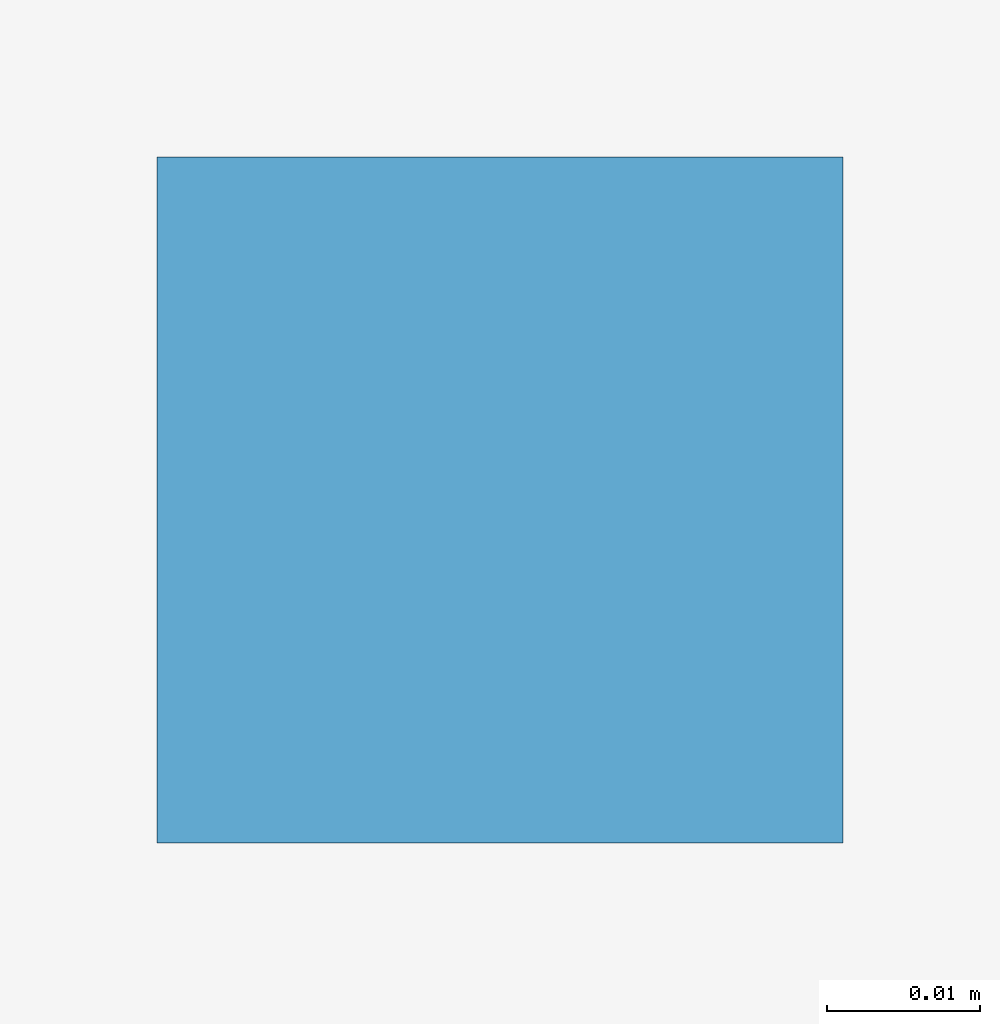
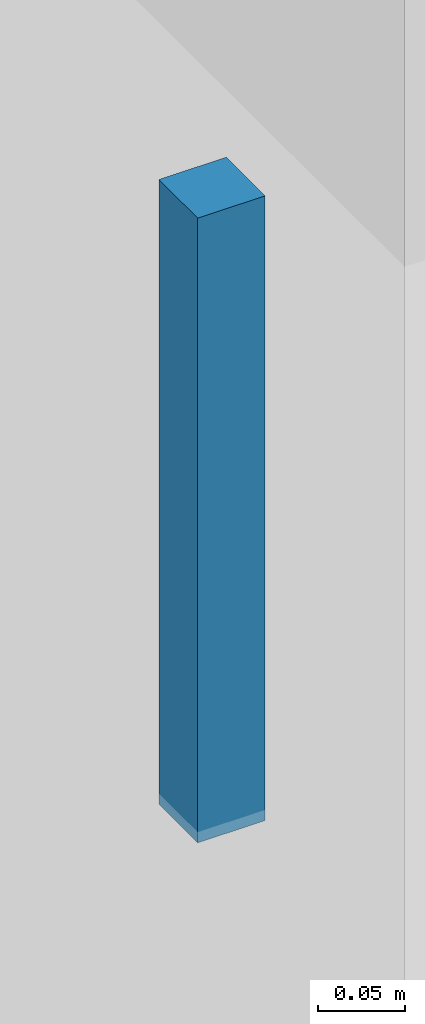
# One storey, part 68 of 85: 1 discrete accessory.
"""IFC4 building model written with IfcOpenShell, lengths in metres."""

import ifcopenshell
import ifcopenshell.guid

model = None  # the IFC model being written
_history = None  # IfcOwnerHistory: only IFC2X3 demands one
_inside = {}  # id of a spatial element -> (the spatial element, [elements in it])
_under = {}  # id of a project, library or spatial element -> (it, [spatial elements below it])
_declared = {}  # id of a project -> (the project, [libraries it declares])
_typed = {}  # id of a type object -> (the type object, [elements of that type])
_made_of = {}  # id of a material, layer set ... -> (it, [elements and type objects made of it])


def new_model(schema):
    """Start an empty IFC model of exactly this schema.

    Asked for "IFC4X3", IfcOpenShell would pick the latest addendum, in which some entities
    have other attributes; the version numbers below select the first issue.
    IFC2X3 requires an IfcOwnerHistory on every rooted entity: one is made here for all.
    """
    global model, _history
    if schema == "IFC4X3":
        model = ifcopenshell.file(schema_version=(4, 3, 0, 0))
    else:
        model = ifcopenshell.file(schema=schema)
    _inside.clear()
    _under.clear()
    _declared.clear()
    _typed.clear()
    _made_of.clear()
    _history = None
    if model.schema == "IFC2X3":
        org = make("IfcOrganization", Name="unknown")
        user = make(
            "IfcPersonAndOrganization",
            ThePerson=make("IfcPerson", FamilyName="unknown"),
            TheOrganization=org,
        )
        app = make(
            "IfcApplication",
            ApplicationDeveloper=org,
            Version="unknown",
            ApplicationFullName="unknown",
            ApplicationIdentifier="unknown",
        )
        _history = make(
            "IfcOwnerHistory",
            OwningUser=user,
            OwningApplication=app,
            ChangeAction="ADDED",
            CreationDate=0,
        )
    return model


def make(cls, **values):
    """One entity of the class cls with the attributes given. An attribute that is None is left unset."""
    return model.create_entity(
        cls, **{name: value for name, value in values.items() if value is not None}
    )


def rooted(cls, **values):
    """An entity with a GlobalId (a new one), such as an element, a storey or a relation."""
    return make(cls, GlobalId=ifcopenshell.guid.new(), OwnerHistory=_history, **values)


def si_unit(unit_type, name, prefix=None):
    """IfcSIUnit, for example si_unit("LENGTHUNIT", "METRE", prefix="MILLI")."""
    return make("IfcSIUnit", UnitType=unit_type, Prefix=prefix, Name=name)


def derived_unit(unit_type, elements):
    """IfcDerivedUnit: a product of units, each with its exponent."""
    return make(
        "IfcDerivedUnit",
        Elements=[
            make("IfcDerivedUnitElement", Unit=unit, Exponent=power)
            for unit, power in elements
        ],
        UnitType=unit_type,
    )


def assignment(units):
    """IfcUnitAssignment: the units of a project."""
    return None if units is None else make("IfcUnitAssignment", Units=units)


def point(xyz):
    """IfcCartesianPoint."""
    return None if xyz is None else make("IfcCartesianPoint", Coordinates=xyz)


def direction(xyz):
    """IfcDirection."""
    return None if xyz is None else make("IfcDirection", DirectionRatios=xyz)


def frame(location, z_axis=None, x_axis=None):
    """IfcAxis2Placement3D, a coordinate frame: its origin and axes. An axis left out is left unset."""
    return make(
        "IfcAxis2Placement3D",
        Location=point(location),
        Axis=direction(z_axis),
        RefDirection=direction(x_axis),
    )


def frame_2d(location, x_axis=None):
    """IfcAxis2Placement2D, a coordinate frame in the plane: its origin and x axis."""
    return make(
        "IfcAxis2Placement2D", Location=point(location), RefDirection=direction(x_axis)
    )


def origin():
    """The frame at (0, 0, 0) with its axes left unset."""
    return frame((0.0, 0.0, 0.0))


def origin_2d():
    """The frame at (0, 0) in the plane with its x axis left unset."""
    return frame_2d((0.0, 0.0))


def place(relative_to, where):
    """IfcLocalPlacement: puts the frame where relative to a parent placement (None: the world)."""
    return make(
        "IfcLocalPlacement", PlacementRelTo=relative_to, RelativePlacement=where
    )


def context(
    kind, dimensions, precision=None, world=None, true_north=None, identifier=None
):
    """IfcGeometricRepresentationContext, for example the 3D "Model" context."""
    return make(
        "IfcGeometricRepresentationContext",
        ContextIdentifier=identifier,
        ContextType=kind,
        CoordinateSpaceDimension=dimensions,
        Precision=precision,
        WorldCoordinateSystem=world,
        TrueNorth=true_north,
    )


def subcontext(parent, identifier, kind, view, scale=None):
    """IfcGeometricRepresentationSubContext, for example "Body" below "Model"."""
    return make(
        "IfcGeometricRepresentationSubContext",
        ContextIdentifier=identifier,
        ContextType=kind,
        ParentContext=parent,
        TargetScale=scale,
        TargetView=view,
    )


def project(units=None, contexts=None):
    """IfcProject with its units and contexts."""
    return rooted(
        "IfcProject",
        Name="project",
        RepresentationContexts=contexts,
        UnitsInContext=assignment(units),
    )


def spatial(cls, under=None, at=None, **own):
    """A site, building, storey or space (cls), placed at a placement, below another one or the project."""
    s = rooted(cls, ObjectPlacement=at, **own)
    if under is not None:
        _under.setdefault(under.id(), (under, []))[1].append(s)
    return s


def profile(cls, at=None, kind="AREA", **sizes):
    """A parametric profile (cls). Its sizes go by their IFC names, for example OverallWidth=200.0."""
    return make(cls, ProfileType=kind, Position=at, **sizes)


def rectangle(**sizes):
    """IfcRectangleProfileDef."""
    return profile("IfcRectangleProfileDef", **sizes)


def extrude(swept, where, along, depth):
    """IfcExtrudedAreaSolid: the profile swept, set in the frame where, extruded along a direction by depth."""
    return make(
        "IfcExtrudedAreaSolid",
        SweptArea=swept,
        Position=where,
        ExtrudedDirection=direction(along),
        Depth=depth,
    )


def shape(context_of_items, identifier, shape_type, items):
    """IfcShapeRepresentation: the items that make up one representation, for example the "Body"."""
    return make(
        "IfcShapeRepresentation",
        ContextOfItems=context_of_items,
        RepresentationIdentifier=identifier,
        RepresentationType=shape_type,
        Items=items,
    )


def material(Name=None, Category=None):
    """IfcMaterial."""
    return make("IfcMaterial", Name=Name, Category=Category)


def made_of(thing, what):
    """Note that an element or type object is made of a material, layer set ...; save() writes the relation."""
    if what is not None:
        _made_of.setdefault(what.id(), (what, []))[1].append(thing)
    return thing


def type_object(cls, material=None, **own):
    """A type object (cls), such as IfcWallType, which elements share."""
    return made_of(rooted(cls, **own), material)


def element(
    cls,
    number,
    at=None,
    inside=None,
    cuts=None,
    type_object=None,
    material=None,
    context=None,
    identifier="Body",
    shape_type=None,
    held_by="IfcProductDefinitionShape",
    body=None,
    shapes=None,
    **own,
):
    """One element of the class cls, such as IfcWall. Its Tag is "e" and its number.

    at: its placement. inside: the storey or other place that contains it. cuts: it is an
    opening in that element (IfcRelVoidsElement). A single representation is given by context,
    identifier, shape_type and body (its items); several are given by shapes. held_by: the class
    of the entity that holds the representations. save() writes the other relations.
    """
    e = rooted(cls, Tag="e%d" % number, ObjectPlacement=at, **own)
    if body is not None:
        shapes = [shape(context, identifier, shape_type, body)]
    if shapes is not None:
        e.Representation = make(held_by, Representations=shapes)
    if inside is not None:
        _inside.setdefault(inside.id(), (inside, []))[1].append(e)
    if cuts is not None:
        rooted(
            "IfcRelVoidsElement", RelatingBuildingElement=cuts, RelatedOpeningElement=e
        )
    if type_object is not None:
        _typed.setdefault(type_object.id(), (type_object, []))[1].append(e)
    return made_of(e, material)


def aggregate(whole, parts):
    """IfcRelAggregates: a whole, such as a stair, and the parts it consists of."""
    return rooted("IfcRelAggregates", RelatingObject=whole, RelatedObjects=parts)


def save(model, path):
    """Write the relations noted so far, then the file.

    IfcRelAggregates (storeys below a building ...), IfcRelContainedInSpatialStructure (elements
    in a storey), IfcRelDefinesByType, IfcRelAssociatesMaterial and IfcRelDeclares: one each for
    every whole, place, type object, material and project.
    """
    for whole, parts in _under.values():
        aggregate(whole, parts)
    for where, things in _inside.values():
        rooted(
            "IfcRelContainedInSpatialStructure",
            RelatedElements=things,
            RelatingStructure=where,
        )
    for kind, things in _typed.values():
        rooted("IfcRelDefinesByType", RelatedObjects=things, RelatingType=kind)
    for what, things in _made_of.values():
        rooted("IfcRelAssociatesMaterial", RelatedObjects=things, RelatingMaterial=what)
    for by, libraries in _declared.values():
        rooted("IfcRelDeclares", RelatingContext=by, RelatedDefinitions=libraries)
    model.write(path)


model = new_model("IFC4")

# Units and contexts
model_context = context("Model", 3, precision=1e-05, world=origin(), true_north=direction((0.0, 1.0)))
body_context = subcontext(model_context, "Body", "Model", "MODEL_VIEW")
ifc_project = project(units=[si_unit("LENGTHUNIT", "METRE"), si_unit("AREAUNIT", "SQUARE_METRE"), si_unit("VOLUMEUNIT", "CUBIC_METRE"), si_unit("PLANEANGLEUNIT", "RADIAN"), si_unit("MASSUNIT", "GRAM", prefix="KILO"), derived_unit("THERMALTRANSMITTANCEUNIT", [(si_unit("POWERUNIT", "WATT"), 1), (si_unit("LENGTHUNIT", "METRE"), -2), (si_unit("THERMODYNAMICTEMPERATUREUNIT", "KELVIN"), -1)])], contexts=[model_context])

# Site, building, storey
site_placement = place(None, origin())
site = spatial("IfcSite", under=ifc_project, at=site_placement, CompositionType="ELEMENT")
building_placement = place(site_placement, origin())
building = spatial("IfcBuilding", under=site, at=building_placement, Name="Braskholm Square Health Centre", CompositionType="ELEMENT")
storey_placement = place(building_placement, frame((0.0, 0.0, 9.300048828125)))
storey = spatial("IfcBuildingStorey", under=building, at=storey_placement, Name="L03", CompositionType="ELEMENT", Elevation=9.300048828125)

# Discrete accessory
ifc_material = material(Name="Steel ASTM A500 Grade C", Category="steel")
discrete_accessory_type = type_object("IfcDiscreteAccessoryType", Name="CeilingSuspensionBracket", PredefinedType="BRACKET", material=ifc_material)
discrete_accessory_placement = place(storey_placement, frame((148.18505859375, 54.739990234375, 3.471923828125), z_axis=(0.0, 0.0, 1.0), x_axis=(1.0, 0.0, 0.0)))
element("IfcDiscreteAccessory", 1, at=discrete_accessory_placement, inside=storey, type_object=discrete_accessory_type, Name="Ceiling hanger bracket 0167", PredefinedType="BRACKET", context=body_context, shape_type="SweptSolid", body=[
    extrude(rectangle(XDim=0.044921875, YDim=0.044921875, at=origin_2d()), origin(), (0.0, 0.0, 1.0), 0.43994140625),
])

save(model, "model.ifc")
